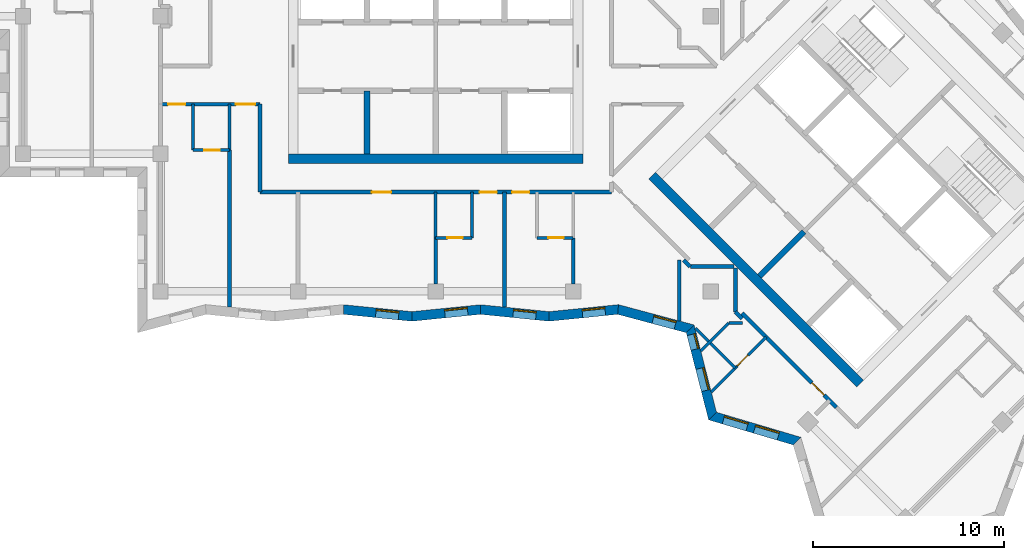
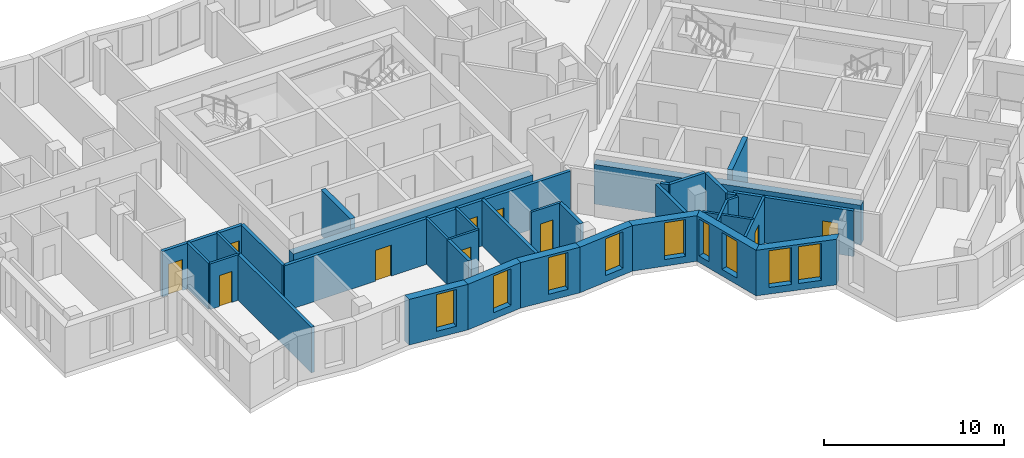
# One storey, part 3 of 11: 35 walls, 10 doors, 9 windows, 19 openings.
"""IFC4 building model written with IfcOpenShell, lengths in metres."""

from ifc_helpers import new_model, si_unit, direction, frame, frame_2d, origin, place, context, subcontext, project, spatial, polyline, rectangle, outline, extrude, material, layer, layer_set, type_object, element, fill, save


model = new_model("IFC4")

# Units and contexts
model_context = context("Model", 3, precision=1e-05, world=origin(), true_north=direction((0.0, 1.0)))
body_context = subcontext(model_context, "Body", "Model", "MODEL_VIEW")
ifc_project = project(units=[si_unit("LENGTHUNIT", "METRE"), si_unit("AREAUNIT", "SQUARE_METRE"), si_unit("VOLUMEUNIT", "CUBIC_METRE"), si_unit("PLANEANGLEUNIT", "RADIAN"), si_unit("MASSUNIT", "GRAM", prefix="KILO")], contexts=[model_context])

# Site, building, storey
site_placement = place(None, origin())
site = spatial("IfcSite", under=ifc_project, at=site_placement, CompositionType="ELEMENT")
building_placement = place(site_placement, origin())
building = spatial("IfcBuilding", under=site, at=building_placement, Name="Windrow Commons", CompositionType="ELEMENT")
storey_placement = place(building_placement, frame((0.0, 0.0, 196.4)))
storey = spatial("IfcBuildingStorey", under=building, at=storey_placement, Name="L53", CompositionType="ELEMENT", Elevation=196.4)

# Wall, opening, window
ifc_material_1 = material(Name="Brick masonry, red clay brick", Category="masonry")
ifc_layer_1 = layer(ifc_material_1, 0.5)
ifc_layer_set_1 = layer_set([ifc_layer_1], Name="Brick facade wall 500")
wall_type_1 = type_object("IfcWallType", Name="Brick facade wall 500", PredefinedType="SOLIDWALL", material=ifc_layer_set_1)
wall_1_placement = place(storey_placement, frame((59.9688, 42.2513, 0.0), z_axis=(0.0, 0.0, 1.0), x_axis=(0.9949813245, -0.1000608012, 0.0)))
wall_1 = element("IfcWall", 1, at=wall_1_placement, inside=storey, type_object=wall_type_1, Name="Brick facade wall L53 43", PredefinedType="SOLIDWALL", context=body_context, shape_type="SweptSolid", body=[
    extrude(outline(polyline([(0.0251, -0.25), (3.6329, -0.25), (3.5826, 0.25), (-0.0251, 0.25), (0.0251, -0.25)])), origin(), (0.0, 0.0, 1.0), 3.1),
])
opening_1_placement = place(wall_1_placement, frame((1.71, 0.0, 0.45)))
opening_1 = element("IfcOpeningElement", 2, at=opening_1_placement, cuts=wall_1, Name="Opening W7E", PredefinedType="OPENING", context=body_context, shape_type="SweptSolid", body=[
    extrude(rectangle(XDim=1.2, YDim=2.5, at=frame_2d((0.6, 1.25))), frame((0.0, 0.26, 0.0), z_axis=(0.0, -1.0, 0.0), x_axis=(1.0, 0.0, 0.0)), (0.0, 0.0, 1.0), 0.52),
])
ifc_material_2 = material(Name="Clear float glass in anodised aluminium frame", Category="aluminium")
window_type_1 = type_object("IfcWindowType", Name="Window W7 notch 1200x2500", PartitioningType="SINGLE_PANEL", PredefinedType="WINDOW", material=ifc_material_2)
window_1_placement = place(opening_1_placement, origin())
window_1 = element("IfcWindow", 3, at=window_1_placement, inside=storey, type_object=window_type_1, Name="Window L53 43.1", OverallHeight=2.5, OverallWidth=1.2, PartitioningType="SINGLE_PANEL", PredefinedType="WINDOW", context=body_context, shape_type="SweptSolid", body=[
    extrude(rectangle(XDim=1.2, YDim=2.5, at=frame_2d((0.6, 1.25))), frame((0.0, 0.18, 0.0), z_axis=(0.0, -1.0, 0.0), x_axis=(1.0, 0.0, 0.0)), (0.0, 0.0, 1.0), 0.06),
])
fill(opening_1, window_1)

wall_2_placement = place(storey_placement, frame((63.5585, 41.8903, 0.0), z_axis=(0.0, 0.0, 1.0), x_axis=(0.994981047, 0.1000635608, 0.0)))
wall_2 = element("IfcWall", 4, at=wall_2_placement, inside=storey, type_object=wall_type_1, Name="Brick facade wall L53 44", PredefinedType="SOLIDWALL", context=body_context, shape_type="SweptSolid", body=[
    extrude(outline(polyline([(-0.0251, -0.25), (3.5826, -0.25), (3.6329, 0.25), (0.0251, 0.25), (-0.0251, -0.25)])), origin(), (0.0, 0.0, 1.0), 3.1),
])
opening_2_placement = place(wall_2_placement, frame((1.7278, 0.0, 0.45)))
opening_2 = element("IfcOpeningElement", 5, at=opening_2_placement, cuts=wall_2, Name="Opening W7E", PredefinedType="OPENING", context=body_context, shape_type="SweptSolid", body=[
    extrude(rectangle(XDim=1.2, YDim=2.5, at=frame_2d((0.6, 1.25))), frame((0.0, 0.26, 0.0), z_axis=(0.0, -1.0, 0.0), x_axis=(1.0, 0.0, 0.0)), (0.0, 0.0, 1.0), 0.52),
])
window_2_placement = place(opening_2_placement, origin())
window_2 = element("IfcWindow", 6, at=window_2_placement, inside=storey, type_object=window_type_1, Name="Window L53 44.1", OverallHeight=2.5, OverallWidth=1.2, PartitioningType="SINGLE_PANEL", PredefinedType="WINDOW", context=body_context, shape_type="SweptSolid", body=[
    extrude(rectangle(XDim=1.2, YDim=2.5, at=frame_2d((0.6, 1.25))), frame((0.0, 0.18, 0.0), z_axis=(0.0, -1.0, 0.0), x_axis=(1.0, 0.0, 0.0)), (0.0, 0.0, 1.0), 0.06),
])
fill(opening_2, window_2)

wall_3_placement = place(storey_placement, frame((67.1481, 42.2513, 0.0), z_axis=(0.0, 0.0, 1.0), x_axis=(0.994981047, -0.1000635608, 0.0)))
wall_3 = element("IfcWall", 7, at=wall_3_placement, inside=storey, type_object=wall_type_1, Name="Brick facade wall L53 45", PredefinedType="SOLIDWALL", context=body_context, shape_type="SweptSolid", body=[
    extrude(outline(polyline([(0.0251, -0.25), (3.6329, -0.25), (3.5826, 0.25), (-0.0251, 0.25), (0.0251, -0.25)])), origin(), (0.0, 0.0, 1.0), 3.1),
])
opening_3_placement = place(wall_3_placement, frame((1.7204, 0.0, 0.45)))
opening_3 = element("IfcOpeningElement", 8, at=opening_3_placement, cuts=wall_3, Name="Opening W7E", PredefinedType="OPENING", context=body_context, shape_type="SweptSolid", body=[
    extrude(rectangle(XDim=1.2, YDim=2.5, at=frame_2d((0.6, 1.25))), frame((0.0, 0.26, 0.0), z_axis=(0.0, -1.0, 0.0), x_axis=(1.0, 0.0, 0.0)), (0.0, 0.0, 1.0), 0.52),
])
window_3_placement = place(opening_3_placement, origin())
window_3 = element("IfcWindow", 9, at=window_3_placement, inside=storey, type_object=window_type_1, Name="Window L53 45.1", OverallHeight=2.5, OverallWidth=1.2, PartitioningType="SINGLE_PANEL", PredefinedType="WINDOW", context=body_context, shape_type="SweptSolid", body=[
    extrude(rectangle(XDim=1.2, YDim=2.5, at=frame_2d((0.6, 1.25))), frame((0.0, 0.18, 0.0), z_axis=(0.0, -1.0, 0.0), x_axis=(1.0, 0.0, 0.0)), (0.0, 0.0, 1.0), 0.06),
])
fill(opening_3, window_3)

wall_4_placement = place(storey_placement, frame((70.7377, 41.8903, 0.0), z_axis=(0.0, 0.0, 1.0), x_axis=(0.9949827385, 0.1000467394, 0.0)))
wall_4 = element("IfcWall", 10, at=wall_4_placement, inside=storey, type_object=wall_type_1, Name="Brick facade wall L53 46", PredefinedType="SOLIDWALL", context=body_context, shape_type="SweptSolid", body=[
    extrude(outline(polyline([(-0.0251, -0.25), (3.5826, -0.25), (3.674, 0.25), (0.0251, 0.25), (-0.0251, -0.25)])), origin(), (0.0, 0.0, 1.0), 3.1),
])
opening_4_placement = place(wall_4_placement, frame((1.7485, 0.0, 0.45)))
opening_4 = element("IfcOpeningElement", 11, at=opening_4_placement, cuts=wall_4, Name="Opening W7E", PredefinedType="OPENING", context=body_context, shape_type="SweptSolid", body=[
    extrude(rectangle(XDim=1.2, YDim=2.5, at=frame_2d((0.6, 1.25))), frame((0.0, 0.26, 0.0), z_axis=(0.0, -1.0, 0.0), x_axis=(1.0, 0.0, 0.0)), (0.0, 0.0, 1.0), 0.52),
])
window_4_placement = place(opening_4_placement, origin())
window_4 = element("IfcWindow", 12, at=window_4_placement, inside=storey, type_object=window_type_1, Name="Window L53 46.1", OverallHeight=2.5, OverallWidth=1.2, PartitioningType="SINGLE_PANEL", PredefinedType="WINDOW", context=body_context, shape_type="SweptSolid", body=[
    extrude(rectangle(XDim=1.2, YDim=2.5, at=frame_2d((0.6, 1.25))), frame((0.0, 0.18, 0.0), z_axis=(0.0, -1.0, 0.0), x_axis=(1.0, 0.0, 0.0)), (0.0, 0.0, 1.0), 0.06),
])
fill(opening_4, window_4)

wall_5_placement = place(storey_placement, frame((74.3478, 42.2533, 0.0), z_axis=(0.0, 0.0, 1.0), x_axis=(0.9659839018, -0.2586022069, 0.0)))
wall_5 = element("IfcWall", 13, at=wall_5_placement, inside=storey, type_object=wall_type_1, Name="Brick facade wall L53 47", PredefinedType="SOLIDWALL", context=body_context, shape_type="SweptSolid", body=[
    extrude(outline(polyline([(0.0457, -0.25), (3.7618, -0.25), (4.0542, 0.25), (-0.0457, 0.25), (0.0457, -0.25)])), origin(), (0.0, 0.0, 1.0), 3.1),
])
opening_5_placement = place(wall_5_placement, frame((1.9021, 0.0, 0.45)))
opening_5 = element("IfcOpeningElement", 14, at=opening_5_placement, cuts=wall_5, Name="Opening W7E", PredefinedType="OPENING", context=body_context, shape_type="SweptSolid", body=[
    extrude(rectangle(XDim=1.2, YDim=2.5, at=frame_2d((0.6, 1.25))), frame((0.0, 0.26, 0.0), z_axis=(0.0, -1.0, 0.0), x_axis=(1.0, 0.0, 0.0)), (0.0, 0.0, 1.0), 0.52),
])
window_5_placement = place(opening_5_placement, origin())
window_5 = element("IfcWindow", 15, at=window_5_placement, inside=storey, type_object=window_type_1, Name="Window L53 47.1", OverallHeight=2.5, OverallWidth=1.2, PartitioningType="SINGLE_PANEL", PredefinedType="WINDOW", context=body_context, shape_type="SweptSolid", body=[
    extrude(rectangle(XDim=1.2, YDim=2.5, at=frame_2d((0.6, 1.25))), frame((0.0, 0.18, 0.0), z_axis=(0.0, -1.0, 0.0), x_axis=(1.0, 0.0, 0.0)), (0.0, 0.0, 1.0), 0.06),
])
fill(opening_5, window_5)

# Wall, openings, windows
wall_6_placement = place(storey_placement, frame((78.1228, 41.2427, 0.0), z_axis=(0.0, 0.0, 1.0), x_axis=(0.2482151311, -0.9687049338, 0.0)))
wall_6 = element("IfcWall", 16, at=wall_6_placement, inside=storey, type_object=wall_type_1, Name="Brick facade wall L53 48", PredefinedType="SOLIDWALL", context=body_context, shape_type="SweptSolid", body=[
    extrude(outline(polyline([(0.1462, -0.25), (4.857, -0.25), (4.5735, 0.25), (-0.1462, 0.25), (0.1462, -0.25)])), origin(), (0.0, 0.0, 1.0), 3.1),
])
opening_6_placement = place(wall_6_placement, frame((2.1346, 0.0, 0.45)))
opening_6 = element("IfcOpeningElement", 17, at=opening_6_placement, cuts=wall_6, Name="Opening W7E", PredefinedType="OPENING", context=body_context, shape_type="SweptSolid", body=[
    extrude(rectangle(XDim=1.2, YDim=2.5, at=frame_2d((0.6, 1.25))), frame((0.0, 0.26, 0.0), z_axis=(0.0, -1.0, 0.0), x_axis=(1.0, 0.0, 0.0)), (0.0, 0.0, 1.0), 0.52),
])
opening_7_placement = place(wall_6_placement, frame((0.305, 0.0, 0.45)))
opening_7 = element("IfcOpeningElement", 18, at=opening_7_placement, cuts=wall_6, Name="Opening W1N", PredefinedType="OPENING", context=body_context, shape_type="SweptSolid", body=[
    extrude(rectangle(XDim=0.8, YDim=2.5, at=frame_2d((0.4, 1.25))), frame((0.0, 0.26, 0.0), z_axis=(0.0, -1.0, 0.0), x_axis=(1.0, 0.0, 0.0)), (0.0, 0.0, 1.0), 0.52),
])
ifc_material_3 = material(Name="Clear float glass in anodised aluminium frame", Category="aluminium")
window_type_2 = type_object("IfcWindowType", Name="Window W1N slit 800x2500", PartitioningType="SINGLE_PANEL", PredefinedType="WINDOW", material=ifc_material_3)
window_6_placement = place(opening_7_placement, origin())
window_6 = element("IfcWindow", 19, at=window_6_placement, inside=storey, type_object=window_type_2, Name="Window L53 48.1A", OverallHeight=2.5, OverallWidth=0.8, PartitioningType="SINGLE_PANEL", PredefinedType="WINDOW", context=body_context, shape_type="SweptSolid", body=[
    extrude(rectangle(XDim=0.8, YDim=2.5, at=frame_2d((0.4, 1.25))), frame((0.0, 0.18, 0.0), z_axis=(0.0, -1.0, 0.0), x_axis=(1.0, 0.0, 0.0)), (0.0, 0.0, 1.0), 0.06),
])
fill(opening_7, window_6)
window_7_placement = place(opening_6_placement, origin())
window_7 = element("IfcWindow", 20, at=window_7_placement, inside=storey, type_object=window_type_1, Name="Window L53 48.2", OverallHeight=2.5, OverallWidth=1.2, PartitioningType="SINGLE_PANEL", PredefinedType="WINDOW", context=body_context, shape_type="SweptSolid", body=[
    extrude(rectangle(XDim=1.2, YDim=2.5, at=frame_2d((0.6, 1.25))), frame((0.0, 0.18, 0.0), z_axis=(0.0, -1.0, 0.0), x_axis=(1.0, 0.0, 0.0)), (0.0, 0.0, 1.0), 0.06),
])
fill(opening_6, window_7)

wall_7_placement = place(storey_placement, frame((79.2932, 36.675, 0.0), z_axis=(0.0, 0.0, 1.0), x_axis=(0.9587670056, -0.2841932951, 0.0)))
wall_7 = element("IfcWall", 21, at=wall_7_placement, inside=storey, type_object=wall_type_1, Name="Brick facade wall L53 49", PredefinedType="SOLIDWALL", context=body_context, shape_type="SweptSolid", body=[
    extrude(outline(polyline([(-0.1418, -0.25), (4.4704, -0.25), (4.7417, 0.25), (0.1418, 0.25), (-0.1418, -0.25)])), origin(), (0.0, 0.0, 1.0), 3.1),
])
opening_8_placement = place(wall_7_placement, frame((0.5997, 0.0, 0.45)))
opening_8 = element("IfcOpeningElement", 22, at=opening_8_placement, cuts=wall_7, Name="Opening W1Q", PredefinedType="OPENING", context=body_context, shape_type="SweptSolid", body=[
    extrude(rectangle(XDim=1.3, YDim=2.5, at=frame_2d((0.65, 1.25))), frame((0.0, 0.26, 0.0), z_axis=(0.0, -1.0, 0.0), x_axis=(1.0, 0.0, 0.0)), (0.0, 0.0, 1.0), 0.52),
])
opening_9_placement = place(wall_7_placement, frame((2.2997, 0.0, 0.45)))
opening_9 = element("IfcOpeningElement", 23, at=opening_9_placement, cuts=wall_7, Name="Opening W1Q", PredefinedType="OPENING", context=body_context, shape_type="SweptSolid", body=[
    extrude(rectangle(XDim=1.3, YDim=2.5, at=frame_2d((0.65, 1.25))), frame((0.0, 0.26, 0.0), z_axis=(0.0, -1.0, 0.0), x_axis=(1.0, 0.0, 0.0)), (0.0, 0.0, 1.0), 0.52),
])
ifc_material_4 = material(Name="Clear float glass in anodised aluminium frame", Category="aluminium")
window_type_3 = type_object("IfcWindowType", Name="Window W1Q pair 1300x2500", PartitioningType="SINGLE_PANEL", PredefinedType="WINDOW", material=ifc_material_4)
window_8_placement = place(opening_8_placement, origin())
window_8 = element("IfcWindow", 24, at=window_8_placement, inside=storey, type_object=window_type_3, Name="Window L53 49.1A", OverallHeight=2.5, OverallWidth=1.3, PartitioningType="SINGLE_PANEL", PredefinedType="WINDOW", context=body_context, shape_type="SweptSolid", body=[
    extrude(rectangle(XDim=1.3, YDim=2.5, at=frame_2d((0.65, 1.25))), frame((0.0, 0.18, 0.0), z_axis=(0.0, -1.0, 0.0), x_axis=(1.0, 0.0, 0.0)), (0.0, 0.0, 1.0), 0.06),
])
fill(opening_8, window_8)
window_9_placement = place(opening_9_placement, origin())
window_9 = element("IfcWindow", 25, at=window_9_placement, inside=storey, type_object=window_type_3, Name="Window L53 49.1B", OverallHeight=2.5, OverallWidth=1.3, PartitioningType="SINGLE_PANEL", PredefinedType="WINDOW", context=body_context, shape_type="SweptSolid", body=[
    extrude(rectangle(XDim=1.3, YDim=2.5, at=frame_2d((0.65, 1.25))), frame((0.0, 0.18, 0.0), z_axis=(0.0, -1.0, 0.0), x_axis=(1.0, 0.0, 0.0)), (0.0, 0.0, 1.0), 0.06),
])
fill(opening_9, window_9)

# Wall, openings, doors
ifc_material_5 = material(Name="Blockwork partition", Category="masonry")
ifc_layer_2 = layer(ifc_material_5, 0.2)
ifc_layer_set_2 = layer_set([ifc_layer_2], Name="IW-CORRIDOR-200")
wall_type_2 = type_object("IfcWallType", Name="IW-CORRIDOR-200", PredefinedType="PARTITIONING", material=ifc_layer_set_2)
wall_8_placement = place(storey_placement, frame((55.6, 48.4, 0.0), z_axis=(0.0, 0.0, 1.0), x_axis=(1.0, 0.0, 0.0)))
wall_8 = element("IfcWall", 26, at=wall_8_placement, inside=storey, type_object=wall_type_2, Name="W-L53-W001", PredefinedType="PARTITIONING", context=body_context, shape_type="SweptSolid", body=[
    extrude(rectangle(XDim=18.4, YDim=0.2, at=frame_2d((9.2, 0.0))), origin(), (0.0, 0.0, 1.0), 3.1),
])
opening_10_placement = place(wall_8_placement, frame((5.8625, 0.0, 0.0)))
opening_10 = element("IfcOpeningElement", 27, at=opening_10_placement, cuts=wall_8, Name="Opening D310F", PredefinedType="OPENING", context=body_context, shape_type="SweptSolid", body=[
    extrude(rectangle(XDim=1.0, YDim=2.1, at=frame_2d((0.5, 1.05))), frame((0.0, 0.11, 0.0), z_axis=(0.0, -1.0, 0.0), x_axis=(1.0, 0.0, 0.0)), (0.0, 0.0, 1.0), 0.22),
])
opening_11_placement = place(wall_8_placement, frame((11.5, 0.0, 0.0)))
opening_11 = element("IfcOpeningElement", 28, at=opening_11_placement, cuts=wall_8, Name="Opening D109S", PredefinedType="OPENING", context=body_context, shape_type="SweptSolid", body=[
    extrude(rectangle(XDim=0.9, YDim=2.1, at=frame_2d((0.45, 1.05))), frame((0.0, 0.11, 0.0), z_axis=(0.0, -1.0, 0.0), x_axis=(1.0, 0.0, 0.0)), (0.0, 0.0, 1.0), 0.22),
])
opening_12_placement = place(wall_8_placement, frame((13.2, 0.0, 0.0)))
opening_12 = element("IfcOpeningElement", 29, at=opening_12_placement, cuts=wall_8, Name="Opening D109S", PredefinedType="OPENING", context=body_context, shape_type="SweptSolid", body=[
    extrude(rectangle(XDim=0.9, YDim=2.1, at=frame_2d((0.45, 1.05))), frame((0.0, 0.11, 0.0), z_axis=(0.0, -1.0, 0.0), x_axis=(1.0, 0.0, 0.0)), (0.0, 0.0, 1.0), 0.22),
])
ifc_material_6 = material(Name="Timber door leaf", Category="wood")
door_type_1 = type_object("IfcDoorType", Name="DT-AMENITY-1000", OperationType="SINGLE_SWING_LEFT", PredefinedType="DOOR", material=ifc_material_6)
door_1_placement = place(opening_10_placement, origin())
door_1 = element("IfcDoor", 30, at=door_1_placement, inside=storey, type_object=door_type_1, Name="D-L53-D025", OperationType="SINGLE_SWING_LEFT", OverallHeight=2.1, OverallWidth=1.0, PredefinedType="DOOR", context=body_context, shape_type="SweptSolid", body=[
    extrude(rectangle(XDim=1.0, YDim=2.1, at=frame_2d((0.5, 1.05))), frame((0.0, 0.025, 0.0), z_axis=(0.0, -1.0, 0.0), x_axis=(1.0, 0.0, 0.0)), (0.0, 0.0, 1.0), 0.05),
])
fill(opening_10, door_1)
ifc_material_7 = material(Name="Timber door leaf", Category="wood")
door_type_2 = type_object("IfcDoorType", Name="DT-BEDROOM-900", OperationType="SINGLE_SWING_LEFT", PredefinedType="DOOR", material=ifc_material_7)
door_2_placement = place(opening_11_placement, origin())
door_2 = element("IfcDoor", 31, at=door_2_placement, inside=storey, type_object=door_type_2, Name="D-L53-D026", OperationType="SINGLE_SWING_LEFT", OverallHeight=2.1, OverallWidth=0.9, PredefinedType="DOOR", context=body_context, shape_type="SweptSolid", body=[
    extrude(rectangle(XDim=0.9, YDim=2.1, at=frame_2d((0.45, 1.05))), frame((0.0, 0.025, 0.0), z_axis=(0.0, -1.0, 0.0), x_axis=(1.0, 0.0, 0.0)), (0.0, 0.0, 1.0), 0.05),
])
fill(opening_11, door_2)
door_3_placement = place(opening_12_placement, origin())
door_3 = element("IfcDoor", 32, at=door_3_placement, inside=storey, type_object=door_type_2, Name="D-L53-D028", OperationType="SINGLE_SWING_RIGHT", OverallHeight=2.1, OverallWidth=0.9, PredefinedType="DOOR", context=body_context, shape_type="SweptSolid", body=[
    extrude(rectangle(XDim=0.9, YDim=2.1, at=frame_2d((0.45, 1.05))), frame((0.0, 0.025, 0.0), z_axis=(0.0, -1.0, 0.0), x_axis=(1.0, 0.0, 0.0)), (0.0, 0.0, 1.0), 0.05),
])
fill(opening_12, door_3)

# Wall, opening, door
wall_9_placement = place(storey_placement, frame((80.8487, 42.0607, 0.0), z_axis=(0.0, 0.0, 1.0), x_axis=(0.7071067812, -0.7071067812, 0.0)))
wall_9 = element("IfcWall", 33, at=wall_9_placement, inside=storey, type_object=wall_type_2, Name="W-L53-W016", PredefinedType="PARTITIONING", context=body_context, shape_type="SweptSolid", body=[
    extrude(rectangle(XDim=6.9636, YDim=0.2, at=frame_2d((3.4818, 0.0))), origin(), (0.0, 0.0, 1.0), 3.1),
])
opening_13_placement = place(wall_9_placement, frame((5.1589, 0.0, 0.0)))
opening_13 = element("IfcOpeningElement", 34, at=opening_13_placement, cuts=wall_9, Name="Opening D109S", PredefinedType="OPENING", context=body_context, shape_type="SweptSolid", body=[
    extrude(rectangle(XDim=0.9, YDim=2.1, at=frame_2d((0.45, 1.05))), frame((0.0, 0.11, 0.0), z_axis=(0.0, -1.0, 0.0), x_axis=(1.0, 0.0, 0.0)), (0.0, 0.0, 1.0), 0.22),
])
door_4_placement = place(opening_13_placement, origin())
door_4 = element("IfcDoor", 35, at=door_4_placement, inside=storey, type_object=door_type_2, Name="D-L53-D036", OperationType="SINGLE_SWING_RIGHT", OverallHeight=2.1, OverallWidth=0.9, PredefinedType="DOOR", context=body_context, shape_type="SweptSolid", body=[
    extrude(rectangle(XDim=0.9, YDim=2.1, at=frame_2d((0.45, 1.05))), frame((0.0, 0.025, 0.0), z_axis=(0.0, -1.0, 0.0), x_axis=(1.0, 0.0, 0.0)), (0.0, 0.0, 1.0), 0.05),
])
fill(opening_13, door_4)

# Wall, openings, doors
wall_10_placement = place(storey_placement, frame((50.4, 53.0, 0.0), z_axis=(0.0, 0.0, 1.0), x_axis=(1.0, 0.0, 0.0)))
wall_10 = element("IfcWall", 36, at=wall_10_placement, inside=storey, type_object=wall_type_2, Name="W-L53-W033", PredefinedType="PARTITIONING", context=body_context, shape_type="SweptSolid", body=[
    extrude(rectangle(XDim=5.2, YDim=0.2, at=frame_2d((2.6, 0.0))), origin(), (0.0, 0.0, 1.0), 3.1),
])
opening_14_placement = place(wall_10_placement, frame((0.4, 0.0, 0.0)))
opening_14 = element("IfcOpeningElement", 37, at=opening_14_placement, cuts=wall_10, Name="Opening D109S", PredefinedType="OPENING", context=body_context, shape_type="SweptSolid", body=[
    extrude(rectangle(XDim=0.9, YDim=2.1, at=frame_2d((0.45, 1.05))), frame((0.0, 0.11, 0.0), z_axis=(0.0, -1.0, 0.0), x_axis=(1.0, 0.0, 0.0)), (0.0, 0.0, 1.0), 0.22),
])
opening_15_placement = place(wall_10_placement, frame((3.9455, 0.0, 0.0)))
opening_15 = element("IfcOpeningElement", 38, at=opening_15_placement, cuts=wall_10, Name="Opening D310F", PredefinedType="OPENING", context=body_context, shape_type="SweptSolid", body=[
    extrude(rectangle(XDim=1.0, YDim=2.1, at=frame_2d((0.5, 1.05))), frame((0.0, 0.11, 0.0), z_axis=(0.0, -1.0, 0.0), x_axis=(1.0, 0.0, 0.0)), (0.0, 0.0, 1.0), 0.22),
])
door_5_placement = place(opening_15_placement, origin())
door_5 = element("IfcDoor", 39, at=door_5_placement, inside=storey, type_object=door_type_1, Name="D-L53-D024", OperationType="SINGLE_SWING_RIGHT", OverallHeight=2.1, OverallWidth=1.0, PredefinedType="DOOR", context=body_context, shape_type="SweptSolid", body=[
    extrude(rectangle(XDim=1.0, YDim=2.1, at=frame_2d((0.5, 1.05))), frame((0.0, 0.025, 0.0), z_axis=(0.0, -1.0, 0.0), x_axis=(1.0, 0.0, 0.0)), (0.0, 0.0, 1.0), 0.05),
])
fill(opening_15, door_5)
door_6_placement = place(opening_14_placement, origin())
door_6 = element("IfcDoor", 40, at=door_6_placement, inside=storey, type_object=door_type_2, Name="D-L53-D022", OperationType="SINGLE_SWING_LEFT", OverallHeight=2.1, OverallWidth=0.9, PredefinedType="DOOR", context=body_context, shape_type="SweptSolid", body=[
    extrude(rectangle(XDim=0.9, YDim=2.1, at=frame_2d((0.45, 1.05))), frame((0.0, 0.025, 0.0), z_axis=(0.0, -1.0, 0.0), x_axis=(1.0, 0.0, 0.0)), (0.0, 0.0, 1.0), 0.05),
])
fill(opening_14, door_6)

# Walls
wall_11_placement = place(storey_placement, frame((55.6, 48.4, 0.0), z_axis=(0.0, 0.0, 1.0), x_axis=(0.0, 1.0, 0.0)))
element("IfcWall", 41, at=wall_11_placement, inside=storey, type_object=wall_type_2, Name="W-L53-W043", PredefinedType="PARTITIONING", context=body_context, shape_type="SweptSolid", body=[
    extrude(rectangle(XDim=4.6, YDim=0.2, at=frame_2d((2.3, 0.0))), origin(), (0.0, 0.0, 1.0), 3.1),
])
for number, where, z_axis, x_axis, name in (
    (42, (78.132, 44.5, 0.0), (0.0, 0.0, 1.0), (1.0, 0.0, 0.0), "W-L53-W084"),
    (43, (80.5, 42.132, 0.0), (0.0, 0.0, 1.0), (0.0, 1.0, 0.0), "W-L53-W085"),
):
    element("IfcWall", number, at=place(storey_placement, frame(where, z_axis=z_axis, x_axis=x_axis)), inside=storey, type_object=wall_type_2, Name=name, PredefinedType="PARTITIONING", context=body_context, shape_type="SweptSolid", body=[
        extrude(rectangle(XDim=2.292, YDim=0.2, at=frame_2d((1.146, 0.0))), origin(), (0.0, 0.0, 1.0), 3.1),
    ])
for number, where, z_axis, x_axis, name in (
    (44, (77.7792, 44.8472, 0.0), (0.0, 0.0, 1.0), (0.7071067812, -0.7071067812, 0.0), "W-L53-W135"),
    (45, (80.4972, 42.1292, 0.0), (0.0, 0.0, 1.0), (0.7071067812, -0.7071067812, 0.0), "W-L53-W136"),
):
    element("IfcWall", number, at=place(storey_placement, frame(where, z_axis=z_axis, x_axis=x_axis)), inside=storey, type_object=wall_type_2, Name=name, PredefinedType="PARTITIONING", context=body_context, shape_type="SweptSolid", body=[
        extrude(rectangle(XDim=0.495, YDim=0.2, at=frame_2d((0.2475, 0.0))), origin(), (0.0, 0.0, 1.0), 3.1),
    ])

# Wall, opening, door
ifc_material_8 = material(Name="Blockwork partition", Category="masonry")
ifc_layer_3 = layer(ifc_material_8, 0.15)
ifc_layer_set_3 = layer_set([ifc_layer_3], Name="IW-ENSUITE-150")
wall_type_3 = type_object("IfcWallType", Name="IW-ENSUITE-150", PredefinedType="PARTITIONING", material=ifc_layer_set_3)
wall_12_placement = place(storey_placement, frame((79.2258, 37.945, 0.0), z_axis=(0.0, 0.0, 1.0), x_axis=(0.7071067812, 0.7071067812, 0.0)))
wall_12 = element("IfcWall", 46, at=wall_12_placement, inside=storey, type_object=wall_type_3, Name="W-L53-W046", PredefinedType="PARTITIONING", context=body_context, shape_type="SweptSolid", body=[
    extrude(rectangle(XDim=4.0611, YDim=0.15, at=frame_2d((2.0305, 0.0))), origin(), (0.0, 0.0, 1.0), 3.1),
])
opening_16_placement = place(wall_12_placement, frame((1.9206, 0.0, 0.0)))
opening_16 = element("IfcOpeningElement", 47, at=opening_16_placement, cuts=wall_12, Name="Opening D208N", PredefinedType="OPENING", context=body_context, shape_type="SweptSolid", body=[
    extrude(rectangle(XDim=0.8, YDim=2.1, at=frame_2d((0.4, 1.05))), frame((0.0, 0.085, 0.0), z_axis=(0.0, -1.0, 0.0), x_axis=(1.0, 0.0, 0.0)), (0.0, 0.0, 1.0), 0.17),
])
ifc_material_9 = material(Name="Timber door leaf", Category="wood")
door_type_3 = type_object("IfcDoorType", Name="DT-ENSUITE-800", OperationType="SINGLE_SWING_LEFT", PredefinedType="DOOR", material=ifc_material_9)
door_7_placement = place(opening_16_placement, origin())
door_7 = element("IfcDoor", 48, at=door_7_placement, inside=storey, type_object=door_type_3, Name="D-L53-D037", OperationType="SINGLE_SWING_RIGHT", OverallHeight=2.1, OverallWidth=0.8, PredefinedType="DOOR", context=body_context, shape_type="SweptSolid", body=[
    extrude(rectangle(XDim=0.8, YDim=2.1, at=frame_2d((0.4, 1.05))), frame((0.0, 0.025, 0.0), z_axis=(0.0, -1.0, 0.0), x_axis=(1.0, 0.0, 0.0)), (0.0, 0.0, 1.0), 0.05),
])
fill(opening_16, door_7)

# Walls
wall_13_placement = place(storey_placement, frame((78.3997, 41.2717, 0.0), z_axis=(0.0, 0.0, 1.0), x_axis=(0.7065959276, -0.707617266, 0.0)))
element("IfcWall", 49, at=wall_13_placement, inside=storey, type_object=wall_type_3, Name="W-L53-W055", PredefinedType="PARTITIONING", context=body_context, shape_type="SweptSolid", body=[
    extrude(rectangle(XDim=2.9373, YDim=0.15, at=frame_2d((1.4687, 0.0))), origin(), (0.0, 0.0, 1.0), 3.1),
])
for number, where, z_axis, x_axis, name in (
    (50, (52.1, 50.6, 0.0), (0.0, 0.0, 1.0), (0.0, 1.0, 0.0), "W-L53-W066"),
    (51, (54.0, 50.6, 0.0), (0.0, 0.0, 1.0), (0.0, 1.0, 0.0), "W-L53-W067"),
    (52, (66.7, 46.0, 0.0), (0.0, 0.0, 1.0), (0.0, 1.0, 0.0), "W-L53-W069"),
    (53, (64.8, 46.0, 0.0), (0.0, 0.0, 1.0), (0.0, 1.0, 0.0), "W-L53-W070"),
):
    element("IfcWall", number, at=place(storey_placement, frame(where, z_axis=z_axis, x_axis=x_axis)), inside=storey, type_object=wall_type_3, Name=name, PredefinedType="PARTITIONING", context=body_context, shape_type="SweptSolid", body=[
        extrude(rectangle(XDim=2.4, YDim=0.15, at=frame_2d((1.2, 0.0))), origin(), (0.0, 0.0, 1.0), 3.1),
    ])
wall_14_placement = place(storey_placement, frame((78.6778, 40.0839, 0.0), z_axis=(0.0, 0.0, 1.0), x_axis=(0.7070826828, 0.7071308787, 0.0)))
element("IfcWall", 54, at=wall_14_placement, inside=storey, type_object=wall_type_3, Name="W-L53-W097", PredefinedType="PARTITIONING", context=body_context, shape_type="SweptSolid", body=[
    extrude(rectangle(XDim=2.0749, YDim=0.15, at=frame_2d((1.0374, 0.0))), origin(), (0.0, 0.0, 1.0), 3.1),
])

# Wall, opening, door
wall_15_placement = place(storey_placement, frame((64.8, 46.0, 0.0), z_axis=(0.0, 0.0, 1.0), x_axis=(1.0, 0.0, 0.0)))
wall_15 = element("IfcWall", 55, at=wall_15_placement, inside=storey, type_object=wall_type_3, Name="W-L53-W105", PredefinedType="PARTITIONING", context=body_context, shape_type="SweptSolid", body=[
    extrude(rectangle(XDim=1.9, YDim=0.15, at=frame_2d((0.95, 0.0))), origin(), (0.0, 0.0, 1.0), 3.1),
])
opening_17_placement = place(wall_15_placement, frame((0.6069, 0.0, 0.0)))
opening_17 = element("IfcOpeningElement", 56, at=opening_17_placement, cuts=wall_15, Name="Opening D208N", PredefinedType="OPENING", context=body_context, shape_type="SweptSolid", body=[
    extrude(rectangle(XDim=0.8, YDim=2.1, at=frame_2d((0.4, 1.05))), frame((0.0, 0.085, 0.0), z_axis=(0.0, -1.0, 0.0), x_axis=(1.0, 0.0, 0.0)), (0.0, 0.0, 1.0), 0.17),
])
door_8_placement = place(opening_17_placement, origin())
door_8 = element("IfcDoor", 57, at=door_8_placement, inside=storey, type_object=door_type_3, Name="D-L53-D027", OperationType="SINGLE_SWING_RIGHT", OverallHeight=2.1, OverallWidth=0.8, PredefinedType="DOOR", context=body_context, shape_type="SweptSolid", body=[
    extrude(rectangle(XDim=0.8, YDim=2.1, at=frame_2d((0.4, 1.05))), frame((0.0, 0.025, 0.0), z_axis=(0.0, -1.0, 0.0), x_axis=(1.0, 0.0, 0.0)), (0.0, 0.0, 1.0), 0.05),
])
fill(opening_17, door_8)

wall_16_placement = place(storey_placement, frame((70.1, 46.0, 0.0), z_axis=(0.0, 0.0, 1.0), x_axis=(1.0, 0.0, 0.0)))
wall_16 = element("IfcWall", 58, at=wall_16_placement, inside=storey, type_object=wall_type_3, Name="W-L53-W106", PredefinedType="PARTITIONING", context=body_context, shape_type="SweptSolid", body=[
    extrude(rectangle(XDim=1.9, YDim=0.15, at=frame_2d((0.95, 0.0))), origin(), (0.0, 0.0, 1.0), 3.1),
])
opening_18_placement = place(wall_16_placement, frame((0.5979, 0.0, 0.0)))
opening_18 = element("IfcOpeningElement", 59, at=opening_18_placement, cuts=wall_16, Name="Opening D208N", PredefinedType="OPENING", context=body_context, shape_type="SweptSolid", body=[
    extrude(rectangle(XDim=0.8, YDim=2.1, at=frame_2d((0.4, 1.05))), frame((0.0, 0.085, 0.0), z_axis=(0.0, -1.0, 0.0), x_axis=(1.0, 0.0, 0.0)), (0.0, 0.0, 1.0), 0.17),
])
door_9_placement = place(opening_18_placement, origin())
door_9 = element("IfcDoor", 60, at=door_9_placement, inside=storey, type_object=door_type_3, Name="D-L53-D029", OperationType="SINGLE_SWING_RIGHT", OverallHeight=2.1, OverallWidth=0.8, PredefinedType="DOOR", context=body_context, shape_type="SweptSolid", body=[
    extrude(rectangle(XDim=0.8, YDim=2.1, at=frame_2d((0.4, 1.05))), frame((0.0, 0.025, 0.0), z_axis=(0.0, -1.0, 0.0), x_axis=(1.0, 0.0, 0.0)), (0.0, 0.0, 1.0), 0.05),
])
fill(opening_18, door_9)

wall_17_placement = place(storey_placement, frame((52.1, 50.6, 0.0), z_axis=(0.0, 0.0, 1.0), x_axis=(1.0, 0.0, 0.0)))
wall_17 = element("IfcWall", 61, at=wall_17_placement, inside=storey, type_object=wall_type_3, Name="W-L53-W109", PredefinedType="PARTITIONING", context=body_context, shape_type="SweptSolid", body=[
    extrude(rectangle(XDim=1.9, YDim=0.15, at=frame_2d((0.95, 0.0))), origin(), (0.0, 0.0, 1.0), 3.1),
])
opening_19_placement = place(wall_17_placement, frame((0.5979, 0.0, 0.0)))
opening_19 = element("IfcOpeningElement", 62, at=opening_19_placement, cuts=wall_17, Name="Opening D208N", PredefinedType="OPENING", context=body_context, shape_type="SweptSolid", body=[
    extrude(rectangle(XDim=0.8, YDim=2.1, at=frame_2d((0.4, 1.05))), frame((0.0, 0.085, 0.0), z_axis=(0.0, -1.0, 0.0), x_axis=(1.0, 0.0, 0.0)), (0.0, 0.0, 1.0), 0.17),
])
door_10_placement = place(opening_19_placement, origin())
door_10 = element("IfcDoor", 63, at=door_10_placement, inside=storey, type_object=door_type_3, Name="D-L53-D023", OperationType="SINGLE_SWING_RIGHT", OverallHeight=2.1, OverallWidth=0.8, PredefinedType="DOOR", context=body_context, shape_type="SweptSolid", body=[
    extrude(rectangle(XDim=0.8, YDim=2.1, at=frame_2d((0.4, 1.05))), frame((0.0, 0.025, 0.0), z_axis=(0.0, -1.0, 0.0), x_axis=(1.0, 0.0, 0.0)), (0.0, 0.0, 1.0), 0.05),
])
fill(opening_19, door_10)

# Walls
wall_18_placement = place(storey_placement, frame((80.146, 41.55, 0.0), z_axis=(0.0, 0.0, 1.0), x_axis=(1.0, 0.0, 0.0)))
element("IfcWall", 64, at=wall_18_placement, inside=storey, type_object=wall_type_3, Name="W-L53-W127", PredefinedType="PARTITIONING", context=body_context, shape_type="SweptSolid", body=[
    extrude(rectangle(XDim=0.702, YDim=0.15, at=frame_2d((0.351, 0.0))), origin(), (0.0, 0.0, 1.0), 3.1),
])
ifc_material_10 = material(Name="Blockwork partition", Category="masonry")
ifc_layer_4 = layer(ifc_material_10, 0.2)
ifc_layer_set_4 = layer_set([ifc_layer_4], Name="IW-PARTY-200")
wall_type_4 = type_object("IfcWallType", Name="IW-PARTY-200", PredefinedType="PARTITIONING", material=ifc_layer_set_4)
wall_19_placement = place(storey_placement, frame((54.0, 42.3808, 0.0), z_axis=(0.0, 0.0, 1.0), x_axis=(0.0, 1.0, 0.0)))
element("IfcWall", 65, at=wall_19_placement, inside=storey, type_object=wall_type_4, Name="W-L53-W011", PredefinedType="PARTITIONING", context=body_context, shape_type="SweptSolid", body=[
    extrude(rectangle(XDim=8.2192, YDim=0.2, at=frame_2d((4.1096, 0.0))), origin(), (0.0, 0.0, 1.0), 3.1),
])
wall_20_placement = place(storey_placement, frame((68.4, 42.3766, 0.0), z_axis=(0.0, 0.0, 1.0), x_axis=(0.0, 1.0, 0.0)))
element("IfcWall", 66, at=wall_20_placement, inside=storey, type_object=wall_type_4, Name="W-L53-W024", PredefinedType="PARTITIONING", context=body_context, shape_type="SweptSolid", body=[
    extrude(rectangle(XDim=6.0234, YDim=0.2, at=frame_2d((3.0117, 0.0))), origin(), (0.0, 0.0, 1.0), 3.1),
])
wall_21_placement = place(storey_placement, frame((77.55, 41.6548, 0.0), z_axis=(0.0, 0.0, 1.0), x_axis=(0.0, 1.0, 0.0)))
element("IfcWall", 67, at=wall_21_placement, inside=storey, type_object=wall_type_4, Name="W-L53-W054", PredefinedType="PARTITIONING", context=body_context, shape_type="SweptSolid", body=[
    extrude(rectangle(XDim=3.1952, YDim=0.2, at=frame_2d((1.5976, 0.0))), origin(), (0.0, 0.0, 1.0), 3.1),
])
for number, where, z_axis, x_axis, name in (
    (68, (64.8, 43.6, 0.0), (0.0, 0.0, 1.0), (0.0, 1.0, 0.0), "W-L53-W068"),
    (69, (72.0, 43.6, 0.0), (0.0, 0.0, 1.0), (0.0, 1.0, 0.0), "W-L53-W072"),
):
    element("IfcWall", number, at=place(storey_placement, frame(where, z_axis=z_axis, x_axis=x_axis)), inside=storey, type_object=wall_type_4, Name=name, PredefinedType="PARTITIONING", context=body_context, shape_type="SweptSolid", body=[
        extrude(rectangle(XDim=2.4, YDim=0.2, at=frame_2d((1.2, 0.0))), origin(), (0.0, 0.0, 1.0), 3.1),
    ])
ifc_material_11 = material(Name="Concrete C40/50", Category="concrete")
ifc_layer_5 = layer(ifc_material_11, 0.5)
ifc_layer_set_5 = layer_set([ifc_layer_5], Name="RC CORE WALL 500 C40/50")
wall_type_5 = type_object("IfcWallType", Name="RC CORE WALL 500 C40/50", PredefinedType="SHEAR", material=ifc_layer_set_5)
wall_22_placement = place(storey_placement, frame((57.1, 50.15, -0.3), z_axis=(0.0, 0.0, 1.0), x_axis=(1.0, 0.0, 0.0)))
element("IfcWall", 70, at=wall_22_placement, inside=storey, type_object=wall_type_5, Name="Core A wall outer-S", PredefinedType="SHEAR", context=body_context, shape_type="SweptSolid", body=[
    extrude(rectangle(XDim=15.4, YDim=0.5, at=frame_2d((7.7, 0.0))), origin(), (0.0, 0.0, 1.0), 2.7),
])
wall_23_placement = place(storey_placement, frame((76.1241, 49.2665, -0.3), z_axis=(0.0, 0.0, 1.0), x_axis=(0.7071067812, -0.7071067812, 0.0)))
element("IfcWall", 71, at=wall_23_placement, inside=storey, type_object=wall_type_5, Name="Core B wall outer-S", PredefinedType="SHEAR", context=body_context, shape_type="SweptSolid", body=[
    extrude(rectangle(XDim=15.3999, YDim=0.5, at=frame_2d((7.7, 0.0))), origin(), (0.0, 0.0, 1.0), 2.7),
])
ifc_material_12 = material(Name="Concrete C40/50", Category="concrete")
ifc_layer_6 = layer(ifc_material_12, 0.3)
ifc_layer_set_6 = layer_set([ifc_layer_6], Name="RC SHAFT WALL 300 C40/50")
wall_type_6 = type_object("IfcWallType", Name="RC SHAFT WALL 300 C40/50", PredefinedType="SOLIDWALL", material=ifc_layer_set_6)
wall_24_placement = place(storey_placement, frame((61.2, 50.4, 0.0), z_axis=(0.0, 0.0, 1.0), x_axis=(0.0, 1.0, 0.0)))
element("IfcWall", 72, at=wall_24_placement, inside=storey, type_object=wall_type_6, Name="Core A wall shaft-S1", PredefinedType="SOLIDWALL", context=body_context, shape_type="SweptSolid", body=[
    extrude(rectangle(XDim=3.3, YDim=0.3, at=frame_2d((1.65, 0.0))), origin(), (0.0, 0.0, 1.0), 3.1),
])
wall_25_placement = place(storey_placement, frame((81.7456, 43.9986, 0.0), z_axis=(0.0, 0.0, 1.0), x_axis=(0.7071067812, 0.7071067812, 0.0)))
element("IfcWall", 73, at=wall_25_placement, inside=storey, type_object=wall_type_6, Name="Core B wall shaft-S2", PredefinedType="SOLIDWALL", context=body_context, shape_type="SweptSolid", body=[
    extrude(rectangle(XDim=3.2999, YDim=0.3, at=frame_2d((1.65, 0.0))), origin(), (0.0, 0.0, 1.0), 3.1),
])

save(model, "model.ifc")
